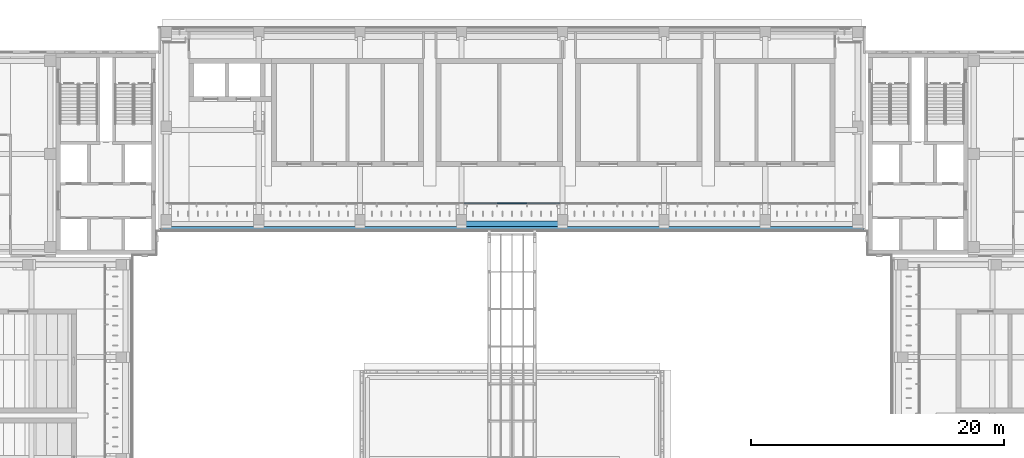
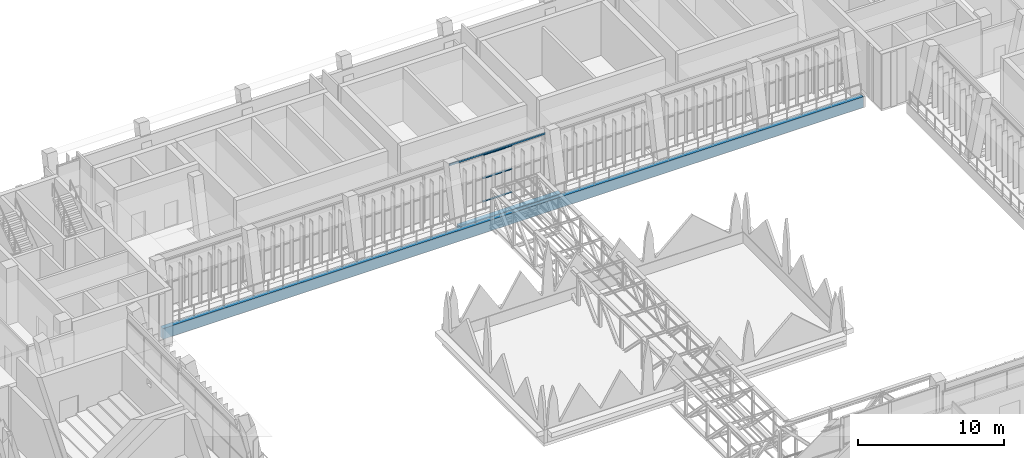
# One storey, part 74 of 141: 3 beams, 3 members, 1 element without a shape of its own.
"""IFC4 building model written with IfcOpenShell, lengths in metres."""

import ifcopenshell
import ifcopenshell.guid

model = None  # the IFC model being written
_history = None  # IfcOwnerHistory: only IFC2X3 demands one
_inside = {}  # id of a spatial element -> (the spatial element, [elements in it])
_under = {}  # id of a project, library or spatial element -> (it, [spatial elements below it])
_declared = {}  # id of a project -> (the project, [libraries it declares])
_typed = {}  # id of a type object -> (the type object, [elements of that type])
_made_of = {}  # id of a material, layer set ... -> (it, [elements and type objects made of it])


def new_model(schema):
    """Start an empty IFC model of exactly this schema.

    Asked for "IFC4X3", IfcOpenShell would pick the latest addendum, in which some entities
    have other attributes; the version numbers below select the first issue.
    IFC2X3 requires an IfcOwnerHistory on every rooted entity: one is made here for all.
    """
    global model, _history
    if schema == "IFC4X3":
        model = ifcopenshell.file(schema_version=(4, 3, 0, 0))
    else:
        model = ifcopenshell.file(schema=schema)
    _inside.clear()
    _under.clear()
    _declared.clear()
    _typed.clear()
    _made_of.clear()
    _history = None
    if model.schema == "IFC2X3":
        org = make("IfcOrganization", Name="unknown")
        user = make(
            "IfcPersonAndOrganization",
            ThePerson=make("IfcPerson", FamilyName="unknown"),
            TheOrganization=org,
        )
        app = make(
            "IfcApplication",
            ApplicationDeveloper=org,
            Version="unknown",
            ApplicationFullName="unknown",
            ApplicationIdentifier="unknown",
        )
        _history = make(
            "IfcOwnerHistory",
            OwningUser=user,
            OwningApplication=app,
            ChangeAction="ADDED",
            CreationDate=0,
        )
    return model


def make(cls, **values):
    """One entity of the class cls with the attributes given. An attribute that is None is left unset."""
    return model.create_entity(
        cls, **{name: value for name, value in values.items() if value is not None}
    )


def rooted(cls, **values):
    """An entity with a GlobalId (a new one), such as an element, a storey or a relation."""
    return make(cls, GlobalId=ifcopenshell.guid.new(), OwnerHistory=_history, **values)


def si_unit(unit_type, name, prefix=None):
    """IfcSIUnit, for example si_unit("LENGTHUNIT", "METRE", prefix="MILLI")."""
    return make("IfcSIUnit", UnitType=unit_type, Prefix=prefix, Name=name)


def assignment(units):
    """IfcUnitAssignment: the units of a project."""
    return None if units is None else make("IfcUnitAssignment", Units=units)


def point(xyz):
    """IfcCartesianPoint."""
    return None if xyz is None else make("IfcCartesianPoint", Coordinates=xyz)


def direction(xyz):
    """IfcDirection."""
    return None if xyz is None else make("IfcDirection", DirectionRatios=xyz)


def frame(location, z_axis=None, x_axis=None):
    """IfcAxis2Placement3D, a coordinate frame: its origin and axes. An axis left out is left unset."""
    return make(
        "IfcAxis2Placement3D",
        Location=point(location),
        Axis=direction(z_axis),
        RefDirection=direction(x_axis),
    )


def frame_2d(location, x_axis=None):
    """IfcAxis2Placement2D, a coordinate frame in the plane: its origin and x axis."""
    return make(
        "IfcAxis2Placement2D", Location=point(location), RefDirection=direction(x_axis)
    )


def origin():
    """The frame at (0, 0, 0) with its axes left unset."""
    return frame((0.0, 0.0, 0.0))


def origin_2d():
    """The frame at (0, 0) in the plane with its x axis left unset."""
    return frame_2d((0.0, 0.0))


def place(relative_to, where):
    """IfcLocalPlacement: puts the frame where relative to a parent placement (None: the world)."""
    return make(
        "IfcLocalPlacement", PlacementRelTo=relative_to, RelativePlacement=where
    )


def context(
    kind, dimensions, precision=None, world=None, true_north=None, identifier=None
):
    """IfcGeometricRepresentationContext, for example the 3D "Model" context."""
    return make(
        "IfcGeometricRepresentationContext",
        ContextIdentifier=identifier,
        ContextType=kind,
        CoordinateSpaceDimension=dimensions,
        Precision=precision,
        WorldCoordinateSystem=world,
        TrueNorth=true_north,
    )


def subcontext(parent, identifier, kind, view, scale=None):
    """IfcGeometricRepresentationSubContext, for example "Body" below "Model"."""
    return make(
        "IfcGeometricRepresentationSubContext",
        ContextIdentifier=identifier,
        ContextType=kind,
        ParentContext=parent,
        TargetScale=scale,
        TargetView=view,
    )


def project(units=None, contexts=None):
    """IfcProject with its units and contexts."""
    return rooted(
        "IfcProject",
        Name="project",
        RepresentationContexts=contexts,
        UnitsInContext=assignment(units),
    )


def spatial(cls, under=None, at=None, **own):
    """A site, building, storey or space (cls), placed at a placement, below another one or the project."""
    s = rooted(cls, ObjectPlacement=at, **own)
    if under is not None:
        _under.setdefault(under.id(), (under, []))[1].append(s)
    return s


def profile(cls, at=None, kind="AREA", **sizes):
    """A parametric profile (cls). Its sizes go by their IFC names, for example OverallWidth=200.0."""
    return make(cls, ProfileType=kind, Position=at, **sizes)


def rectangle(**sizes):
    """IfcRectangleProfileDef."""
    return profile("IfcRectangleProfileDef", **sizes)


def hollow_rectangle(**sizes):
    """IfcRectangleHollowProfileDef."""
    return profile("IfcRectangleHollowProfileDef", **sizes)


def extrude(swept, where, along, depth):
    """IfcExtrudedAreaSolid: the profile swept, set in the frame where, extruded along a direction by depth."""
    return make(
        "IfcExtrudedAreaSolid",
        SweptArea=swept,
        Position=where,
        ExtrudedDirection=direction(along),
        Depth=depth,
    )


def shape(context_of_items, identifier, shape_type, items):
    """IfcShapeRepresentation: the items that make up one representation, for example the "Body"."""
    return make(
        "IfcShapeRepresentation",
        ContextOfItems=context_of_items,
        RepresentationIdentifier=identifier,
        RepresentationType=shape_type,
        Items=items,
    )


def material(Name=None, Category=None):
    """IfcMaterial."""
    return make("IfcMaterial", Name=Name, Category=Category)


def material_profile(
    of_material, cross_section, Name=None, Category=None, Priority=None
):
    """IfcMaterialProfile: a cross section and its material."""
    return make(
        "IfcMaterialProfile",
        Name=Name,
        Material=of_material,
        Profile=cross_section,
        Priority=Priority,
        Category=Category,
    )


def profile_set(profiles, Name=None, composite=None):
    """IfcMaterialProfileSet."""
    return make(
        "IfcMaterialProfileSet",
        Name=Name,
        MaterialProfiles=profiles,
        CompositeProfile=composite,
    )


def made_of(thing, what):
    """Note that an element or type object is made of a material, layer set ...; save() writes the relation."""
    if what is not None:
        _made_of.setdefault(what.id(), (what, []))[1].append(thing)
    return thing


def type_object(cls, material=None, **own):
    """A type object (cls), such as IfcWallType, which elements share."""
    return made_of(rooted(cls, **own), material)


def element(
    cls,
    number,
    at=None,
    inside=None,
    cuts=None,
    type_object=None,
    material=None,
    context=None,
    identifier="Body",
    shape_type=None,
    held_by="IfcProductDefinitionShape",
    body=None,
    shapes=None,
    **own,
):
    """One element of the class cls, such as IfcWall. Its Tag is "e" and its number.

    at: its placement. inside: the storey or other place that contains it. cuts: it is an
    opening in that element (IfcRelVoidsElement). A single representation is given by context,
    identifier, shape_type and body (its items); several are given by shapes. held_by: the class
    of the entity that holds the representations. save() writes the other relations.
    """
    e = rooted(cls, Tag="e%d" % number, ObjectPlacement=at, **own)
    if body is not None:
        shapes = [shape(context, identifier, shape_type, body)]
    if shapes is not None:
        e.Representation = make(held_by, Representations=shapes)
    if inside is not None:
        _inside.setdefault(inside.id(), (inside, []))[1].append(e)
    if cuts is not None:
        rooted(
            "IfcRelVoidsElement", RelatingBuildingElement=cuts, RelatedOpeningElement=e
        )
    if type_object is not None:
        _typed.setdefault(type_object.id(), (type_object, []))[1].append(e)
    return made_of(e, material)


def aggregate(whole, parts):
    """IfcRelAggregates: a whole, such as a stair, and the parts it consists of."""
    return rooted("IfcRelAggregates", RelatingObject=whole, RelatedObjects=parts)


def save(model, path):
    """Write the relations noted so far, then the file.

    IfcRelAggregates (storeys below a building ...), IfcRelContainedInSpatialStructure (elements
    in a storey), IfcRelDefinesByType, IfcRelAssociatesMaterial and IfcRelDeclares: one each for
    every whole, place, type object, material and project.
    """
    for whole, parts in _under.values():
        aggregate(whole, parts)
    for where, things in _inside.values():
        rooted(
            "IfcRelContainedInSpatialStructure",
            RelatedElements=things,
            RelatingStructure=where,
        )
    for kind, things in _typed.values():
        rooted("IfcRelDefinesByType", RelatedObjects=things, RelatingType=kind)
    for what, things in _made_of.values():
        rooted("IfcRelAssociatesMaterial", RelatedObjects=things, RelatingMaterial=what)
    for by, libraries in _declared.values():
        rooted("IfcRelDeclares", RelatingContext=by, RelatedDefinitions=libraries)
    model.write(path)


model = new_model("IFC4")

# Units and contexts
model_context = context("Model", 3, precision=1e-05, world=origin(), true_north=direction((0.0, 1.0)))
body_context = subcontext(model_context, "Body", "Model", "MODEL_VIEW")
ifc_project = project(units=[si_unit("LENGTHUNIT", "METRE"), si_unit("AREAUNIT", "SQUARE_METRE"), si_unit("VOLUMEUNIT", "CUBIC_METRE"), si_unit("PLANEANGLEUNIT", "RADIAN"), si_unit("MASSUNIT", "GRAM", prefix="KILO")], contexts=[model_context])

# Site, building, storey
site_placement = place(None, origin())
site = spatial("IfcSite", under=ifc_project, at=site_placement, CompositionType="ELEMENT")
building_placement = place(site_placement, origin())
building = spatial("IfcBuilding", under=site, at=building_placement, Name="Lantern Court Media Centre", CompositionType="ELEMENT")
storey_placement = place(building_placement, frame((0.0, 0.0, 9.60009765625)))
storey = spatial("IfcBuildingStorey", under=building, at=storey_placement, Name="L02", CompositionType="ELEMENT", Elevation=9.60009765625)

# Curtain wall, members
ifc_material_1 = material(Name="Curtain wall bay 2400")
curtain_wall_type = type_object("IfcCurtainWallType", Name="Curtain wall bay 2400", PredefinedType="NOTDEFINED", material=ifc_material_1)
curtain_wall_placement = place(storey_placement, origin())
curtain_wall = element("IfcCurtainWall", 1, at=curtain_wall_placement, inside=storey, type_object=curtain_wall_type, Name="Curtain wall N inner L02", PredefinedType="NOTDEFINED")
ifc_material_2 = material(Name="Anodised aluminium", Category="aluminium")
ifc_material_profile_1 = material_profile(ifc_material_2, rectangle(XDim=0.10009765625, YDim=0.050048828125, at=origin_2d()), Name="AL 50x100")
ifc_profile_set_1 = profile_set([ifc_material_profile_1], Name="Anodised aluminium")
member_type = type_object("IfcMemberType", Name="Curtain wall transom 100x50", PredefinedType="USERDEFINED", material=ifc_profile_set_1)
member_1_placement = place(storey_placement, frame((50.838134765625, 100.14990234375, 0.02490234375), z_axis=(1.0, 0.0, 0.0), x_axis=(0.0, 1.0, 0.0)))
member_1 = element("IfcMember", 2, at=member_1_placement, type_object=member_type, Name="CW2 transom 12.1", ObjectType="TRANSOM", PredefinedType="USERDEFINED", context=body_context, shape_type="SweptSolid", body=[
    extrude(rectangle(XDim=0.10009765625, YDim=0.050048828125, at=origin_2d()), origin(), (0.0, 0.0, 1.0), 2.32373046875),
])
member_2_placement = place(storey_placement, frame((50.838134765625, 100.14990234375, 1.974853515625), z_axis=(1.0, 0.0, 0.0), x_axis=(0.0, 1.0, 0.0)))
member_2 = element("IfcMember", 3, at=member_2_placement, type_object=member_type, Name="CW2 transom 12.2", ObjectType="TRANSOM", PredefinedType="USERDEFINED", context=body_context, shape_type="SweptSolid", body=[
    extrude(rectangle(XDim=0.10009765625, YDim=0.050048828125, at=origin_2d()), origin(), (0.0, 0.0, 1.0), 2.32373046875),
])
member_3_placement = place(storey_placement, frame((50.838134765625, 100.14990234375, 3.9248046875), z_axis=(1.0, 0.0, 0.0), x_axis=(0.0, 1.0, 0.0)))
member_3 = element("IfcMember", 4, at=member_3_placement, type_object=member_type, Name="CW2 transom 12.3", ObjectType="TRANSOM", PredefinedType="USERDEFINED", context=body_context, shape_type="SweptSolid", body=[
    extrude(rectangle(XDim=0.10009765625, YDim=0.050048828125, at=origin_2d()), origin(), (0.0, 0.0, 1.0), 2.32373046875),
])
aggregate(curtain_wall, [member_1, member_2, member_3])

# Beams
ifc_material_3 = material(Name="Steel S355J2 (EN 10025-2)", Category="steel")
ifc_material_profile_2 = material_profile(ifc_material_3, hollow_rectangle(XDim=0.10009765625, YDim=0.14990234375, WallThickness=0.00634765625, InnerFilletRadius=0.00634765625, OuterFilletRadius=0.009521484375, at=origin_2d()), Name="Facade head lintel RHS 150x100x6.3")
ifc_profile_set_2 = profile_set([ifc_material_profile_2], Name="Steel S355J2 (EN 10025-2)")
beam_type_1 = type_object("IfcBeamType", Name="Facade head lintel RHS 150x100x6.3", PredefinedType="BEAM", material=ifc_profile_set_2)
beam_1_placement = place(storey_placement, frame((48.199951171875, 100.14990234375, 4.02490234375), z_axis=(1.0, 0.0, 0.0), x_axis=(0.0, 1.0, 0.0)))
element("IfcBeam", 5, at=beam_1_placement, inside=storey, type_object=beam_type_1, Name="Facade head lintel N L02", PredefinedType="BEAM", context=body_context, shape_type="SweptSolid", body=[
    extrude(hollow_rectangle(XDim=0.10009765625, YDim=0.14990234375, WallThickness=0.00634765625, InnerFilletRadius=0.00634765625, OuterFilletRadius=0.009521484375, at=origin_2d()), origin(), (0.0, 0.0, 1.0), 7.60009765625),
])
ifc_material_4 = material(Name="Concrete C35", Category="concrete")
ifc_material_profile_3 = material_profile(ifc_material_4, rectangle(XDim=0.35009765625, YDim=0.89990234375, at=origin_2d()), Name="RC 350x900")
ifc_profile_set_3 = profile_set([ifc_material_profile_3], Name="Concrete C35")
beam_type_2 = type_object("IfcBeamType", Name="RC BEAM 350x900", PredefinedType="BEAM", material=ifc_profile_set_3)
beam_2_placement = place(storey_placement, frame((24.25, 98.14990234375, -0.4501953125), z_axis=(1.0, 0.0, 0.0), x_axis=(0.0, 1.0, 0.0)))
element("IfcBeam", 6, at=beam_2_placement, inside=storey, type_object=beam_type_2, Name="EB-N-L02-A", PredefinedType="BEAM", context=body_context, shape_type="SweptSolid", body=[
    extrude(rectangle(XDim=0.35009765625, YDim=0.89990234375, at=origin_2d()), origin(), (0.0, 0.0, 1.0), 55.5),
])
ifc_material_profile_4 = material_profile(ifc_material_4, rectangle(XDim=0.449951171875, YDim=0.699951171875, at=origin_2d()), Name="RC 450x700")
ifc_profile_set_4 = profile_set([ifc_material_profile_4], Name="Concrete C35")
beam_type_3 = type_object("IfcBeamType", Name="RC BEAM 450x700", PredefinedType="BEAM", material=ifc_profile_set_4)
beam_3_placement = place(storey_placement, frame((48.0, 98.527099609375, -0.35009765625), z_axis=(1.0, 0.0, 0.0), x_axis=(0.0, 1.0, 0.0)))
element("IfcBeam", 7, at=beam_3_placement, inside=storey, type_object=beam_type_3, Name="LB-N-L02-0-3", PredefinedType="BEAM", context=body_context, shape_type="SweptSolid", body=[
    extrude(rectangle(XDim=0.449951171875, YDim=0.699951171875, at=origin_2d()), origin(), (0.0, 0.0, 1.0), 8.0),
])

save(model, "model.ifc")
